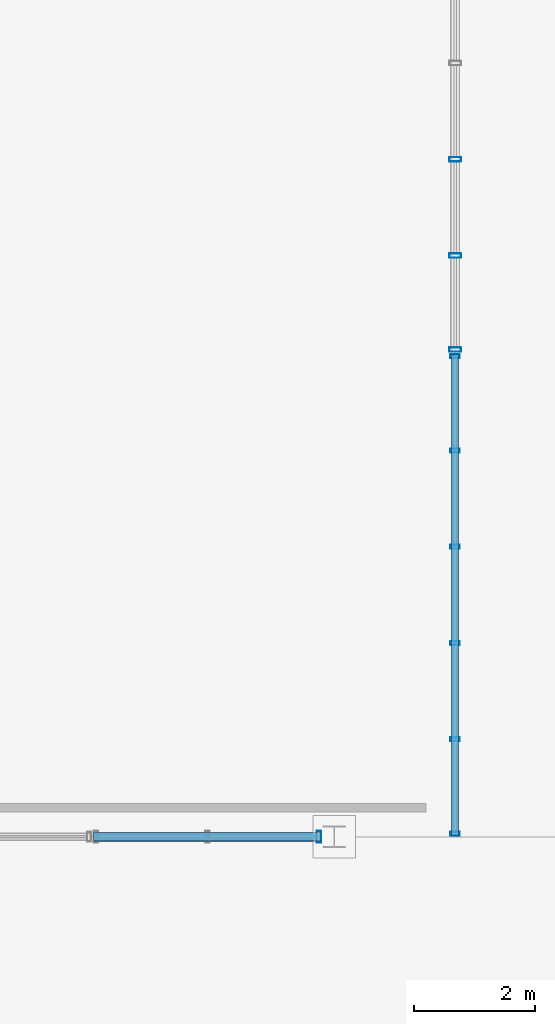
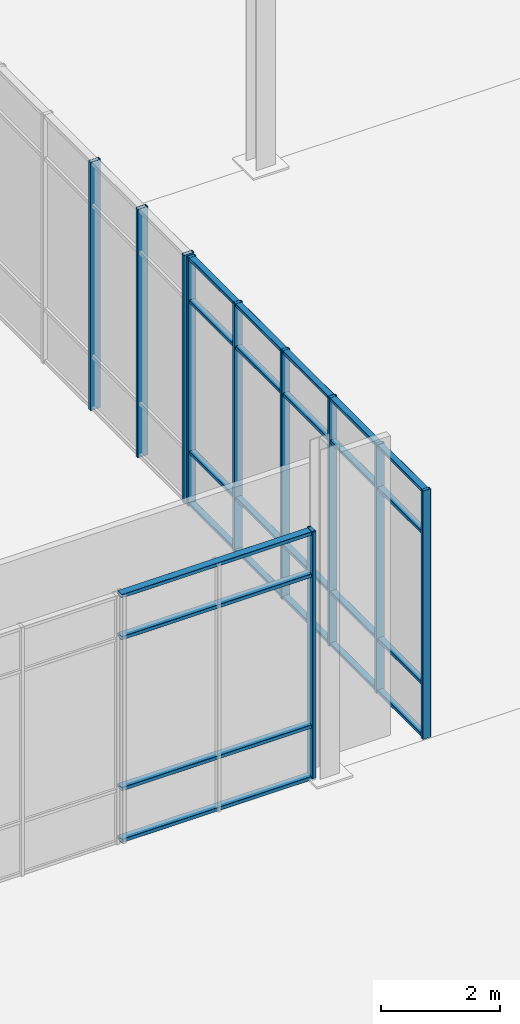
# One storey, part 96 of 140: 18 members, 3 elements without a shape of their own.
"""IFC4 building model written with IfcOpenShell, lengths in metres."""

from ifc_helpers import new_model, si_unit, direction, frame, origin, origin_2d, place, context, subcontext, project, spatial, hollow_rectangle, extrude, material, material_profile, profile_set, type_object, element, aggregate, save


model = new_model("IFC4")

# Units and contexts
model_context = context("Model", 3, precision=1e-05, world=origin(), true_north=direction((0.0, 1.0)))
body_context = subcontext(model_context, "Body", "Model", "MODEL_VIEW")
ifc_project = project(units=[si_unit("LENGTHUNIT", "METRE"), si_unit("AREAUNIT", "SQUARE_METRE"), si_unit("VOLUMEUNIT", "CUBIC_METRE"), si_unit("PLANEANGLEUNIT", "RADIAN"), si_unit("MASSUNIT", "GRAM", prefix="KILO")], contexts=[model_context])

# Site, building, storey
site_placement = place(None, origin())
site = spatial("IfcSite", under=ifc_project, at=site_placement, CompositionType="ELEMENT")
building_placement = place(site_placement, origin())
building = spatial("IfcBuilding", under=site, at=building_placement, Name="Verrall Gate Interchange", CompositionType="ELEMENT")
storey_placement = place(building_placement, origin())
storey = spatial("IfcBuildingStorey", under=building, at=storey_placement, Name="L01", CompositionType="ELEMENT", Elevation=0.0)

# Curtain wall, members
ifc_material_1 = material(Name="Thermally Broken Anodized Aluminium Curtain Wall Framing", Category="aluminium")
curtain_wall_type_1 = type_object("IfcCurtainWallType", Name="CW-09 Unitized Curtain Wall 7960x5100", PredefinedType="NOTDEFINED", material=ifc_material_1)
curtain_wall_1_placement = place(storey_placement, origin())
curtain_wall_1 = element("IfcCurtainWall", 1, at=curtain_wall_1_placement, inside=storey, type_object=curtain_wall_type_1, Name="L01 Unitized Curtain Wall CW-L01-030", PredefinedType="NOTDEFINED")
ifc_material_2 = material(Name="Thermally Broken Anodized Aluminium Curtain Wall Framing", Category="aluminium")
ifc_material_profile_1 = material_profile(ifc_material_2, hollow_rectangle(XDim=0.06494140625, YDim=0.159912109375, WallThickness=0.00390625, InnerFilletRadius=0.00390625, OuterFilletRadius=0.008056640625, at=origin_2d()), Name="CWM160x65x4")
ifc_profile_set_1 = profile_set([ifc_material_profile_1], Name="Thermally Broken Anodized Aluminium Curtain Wall Framing")
member_type_1 = type_object("IfcMemberType", Name="CM-01 Curtain Mullion CWM160x65x4", PredefinedType="MULLION", material=ifc_profile_set_1)
member_1_placement = place(storey_placement, frame((150.0, 74.052490234375, 0.0), z_axis=(0.0, 0.0, 1.0), x_axis=(0.0, 1.0, 0.0)))
member_1 = element("IfcMember", 2, at=member_1_placement, type_object=member_type_1, Name="CW-L01-030 Mullion 1", PredefinedType="MULLION", context=body_context, shape_type="SweptSolid", body=[
    extrude(hollow_rectangle(XDim=0.06494140625, YDim=0.159912109375, WallThickness=0.00390625, InnerFilletRadius=0.00390625, OuterFilletRadius=0.008056640625, at=origin_2d()), origin(), (0.0, 0.0, 1.0), 5.10009765625),
])
member_2_placement = place(storey_placement, frame((150.0, 75.612060546875, 0.0), z_axis=(0.0, 0.0, 1.0), x_axis=(0.0, 1.0, 0.0)))
member_2 = element("IfcMember", 3, at=member_2_placement, type_object=member_type_1, Name="CW-L01-030 Mullion 2", PredefinedType="MULLION", context=body_context, shape_type="SweptSolid", body=[
    extrude(hollow_rectangle(XDim=0.06494140625, YDim=0.159912109375, WallThickness=0.00390625, InnerFilletRadius=0.00390625, OuterFilletRadius=0.008056640625, at=origin_2d()), origin(), (0.0, 0.0, 1.0), 5.10009765625),
])
member_3_placement = place(storey_placement, frame((150.0, 77.2041015625, 0.0), z_axis=(0.0, 0.0, 1.0), x_axis=(0.0, 1.0, 0.0)))
member_3 = element("IfcMember", 4, at=member_3_placement, type_object=member_type_1, Name="CW-L01-030 Mullion 3", PredefinedType="MULLION", context=body_context, shape_type="SweptSolid", body=[
    extrude(hollow_rectangle(XDim=0.06494140625, YDim=0.159912109375, WallThickness=0.00390625, InnerFilletRadius=0.00390625, OuterFilletRadius=0.008056640625, at=origin_2d()), origin(), (0.0, 0.0, 1.0), 5.10009765625),
])
member_4_placement = place(storey_placement, frame((150.0, 78.7958984375, 0.0), z_axis=(0.0, 0.0, 1.0), x_axis=(0.0, 1.0, 0.0)))
member_4 = element("IfcMember", 5, at=member_4_placement, type_object=member_type_1, Name="CW-L01-030 Mullion 4", PredefinedType="MULLION", context=body_context, shape_type="SweptSolid", body=[
    extrude(hollow_rectangle(XDim=0.06494140625, YDim=0.159912109375, WallThickness=0.00390625, InnerFilletRadius=0.00390625, OuterFilletRadius=0.008056640625, at=origin_2d()), origin(), (0.0, 0.0, 1.0), 5.10009765625),
])
member_5_placement = place(storey_placement, frame((150.0, 80.387939453125, 0.0), z_axis=(0.0, 0.0, 1.0), x_axis=(0.0, 1.0, 0.0)))
member_5 = element("IfcMember", 6, at=member_5_placement, type_object=member_type_1, Name="CW-L01-030 Mullion 5", PredefinedType="MULLION", context=body_context, shape_type="SweptSolid", body=[
    extrude(hollow_rectangle(XDim=0.06494140625, YDim=0.159912109375, WallThickness=0.00390625, InnerFilletRadius=0.00390625, OuterFilletRadius=0.008056640625, at=origin_2d()), origin(), (0.0, 0.0, 1.0), 5.10009765625),
])
member_6_placement = place(storey_placement, frame((150.0, 81.947509765625, 0.0), z_axis=(0.0, 0.0, 1.0), x_axis=(0.0, 1.0, 0.0)))
member_6 = element("IfcMember", 7, at=member_6_placement, type_object=member_type_1, Name="CW-L01-030 Mullion 6", PredefinedType="MULLION", context=body_context, shape_type="SweptSolid", body=[
    extrude(hollow_rectangle(XDim=0.06494140625, YDim=0.159912109375, WallThickness=0.00390625, InnerFilletRadius=0.00390625, OuterFilletRadius=0.008056640625, at=origin_2d()), origin(), (0.0, 0.0, 1.0), 5.10009765625),
])

# Curtain wall, member
ifc_material_3 = material(Name="Thermally Broken Anodized Aluminium Curtain Wall Framing", Category="aluminium")
curtain_wall_type_2 = type_object("IfcCurtainWallType", Name="CW-08 Unitized Curtain Wall 3764x5100", PredefinedType="NOTDEFINED", material=ifc_material_3)
curtain_wall_2_placement = place(storey_placement, origin())
curtain_wall_2 = element("IfcCurtainWall", 8, at=curtain_wall_2_placement, inside=storey, type_object=curtain_wall_type_2, Name="L01 Unitized Curtain Wall CW-L01-029", PredefinedType="NOTDEFINED")
ifc_material_4 = material(Name="Thermally Broken Anodized Aluminium Curtain Wall Framing", Category="aluminium")
ifc_material_profile_2 = material_profile(ifc_material_4, hollow_rectangle(XDim=0.074951171875, YDim=0.199951171875, WallThickness=0.0048828125, InnerFilletRadius=0.0048828125, OuterFilletRadius=0.010009765625, at=origin_2d()), Name="CWM200x75x5")
ifc_profile_set_2 = profile_set([ifc_material_profile_2], Name="Thermally Broken Anodized Aluminium Curtain Wall Framing")
member_type_2 = type_object("IfcMemberType", Name="CM-02 Curtain Mullion CWM200x75x5", PredefinedType="MULLION", material=ifc_profile_set_2)
member_7_placement = place(storey_placement, frame((147.74609375, 74.0, 0.0), z_axis=(0.0, 0.0, 1.0), x_axis=(1.0, 0.0, 0.0)))
member_7 = element("IfcMember", 9, at=member_7_placement, type_object=member_type_2, Name="CW-L01-029 Mullion 3", PredefinedType="MULLION", context=body_context, shape_type="SweptSolid", body=[
    extrude(hollow_rectangle(XDim=0.074951171875, YDim=0.199951171875, WallThickness=0.0048828125, InnerFilletRadius=0.0048828125, OuterFilletRadius=0.010009765625, at=origin_2d()), origin(), (0.0, 0.0, 1.0), 5.10009765625),
])

# Curtain wall, members
curtain_wall_3_placement = place(storey_placement, origin())
curtain_wall_3 = element("IfcCurtainWall", 10, at=curtain_wall_3_placement, inside=storey, type_object=curtain_wall_type_1, Name="L01 Unitized Curtain Wall CW-L01-031", PredefinedType="NOTDEFINED")
member_8_placement = place(storey_placement, frame((150.0, 82.0576171875, 0.0), z_axis=(0.0, 0.0, 1.0), x_axis=(0.0, 1.0, 0.0)))
member_8 = element("IfcMember", 11, at=member_8_placement, type_object=member_type_2, Name="CW-L01-031 Mullion 1", PredefinedType="MULLION", context=body_context, shape_type="SweptSolid", body=[
    extrude(hollow_rectangle(XDim=0.074951171875, YDim=0.199951171875, WallThickness=0.0048828125, InnerFilletRadius=0.0048828125, OuterFilletRadius=0.010009765625, at=origin_2d()), origin(), (0.0, 0.0, 1.0), 5.10009765625),
])
member_9_placement = place(storey_placement, frame((150.0, 83.612060546875, 0.0), z_axis=(0.0, 0.0, 1.0), x_axis=(0.0, 1.0, 0.0)))
member_9 = element("IfcMember", 12, at=member_9_placement, type_object=member_type_2, Name="CW-L01-031 Mullion 2", PredefinedType="MULLION", context=body_context, shape_type="SweptSolid", body=[
    extrude(hollow_rectangle(XDim=0.074951171875, YDim=0.199951171875, WallThickness=0.0048828125, InnerFilletRadius=0.0048828125, OuterFilletRadius=0.010009765625, at=origin_2d()), origin(), (0.0, 0.0, 1.0), 5.10009765625),
])
member_10_placement = place(storey_placement, frame((150.0, 85.2041015625, 0.0), z_axis=(0.0, 0.0, 1.0), x_axis=(0.0, 1.0, 0.0)))
member_10 = element("IfcMember", 13, at=member_10_placement, type_object=member_type_2, Name="CW-L01-031 Mullion 3", PredefinedType="MULLION", context=body_context, shape_type="SweptSolid", body=[
    extrude(hollow_rectangle(XDim=0.074951171875, YDim=0.199951171875, WallThickness=0.0048828125, InnerFilletRadius=0.0048828125, OuterFilletRadius=0.010009765625, at=origin_2d()), origin(), (0.0, 0.0, 1.0), 5.10009765625),
])
aggregate(curtain_wall_3, [member_8, member_9, member_10])

# Member
ifc_material_5 = material(Name="Thermally Broken Anodized Aluminium Curtain Wall Framing", Category="aluminium")
ifc_material_profile_3 = material_profile(ifc_material_5, hollow_rectangle(XDim=0.1201171875, YDim=0.06494140625, WallThickness=0.00390625, InnerFilletRadius=0.00390625, OuterFilletRadius=0.008056640625, at=origin_2d()), Name="CWT120x65x4")
ifc_profile_set_3 = profile_set([ifc_material_profile_3], Name="Thermally Broken Anodized Aluminium Curtain Wall Framing")
member_type_3 = type_object("IfcMemberType", Name="CT-01 Curtain Transom CWT120x65x4", PredefinedType="USERDEFINED", material=ifc_profile_set_3)
member_11_placement = place(storey_placement, frame((150.0, 74.02001953125, 0.032470703125), z_axis=(0.0, 1.0, 0.0), x_axis=(-1.0, 0.0, 0.0)))
member_11 = element("IfcMember", 14, at=member_11_placement, type_object=member_type_3, Name="CW-L01-030 Transom 1", ObjectType="TRANSOM", PredefinedType="USERDEFINED", context=body_context, shape_type="SweptSolid", body=[
    extrude(hollow_rectangle(XDim=0.1201171875, YDim=0.06494140625, WallThickness=0.00390625, InnerFilletRadius=0.00390625, OuterFilletRadius=0.008056640625, at=origin_2d()), origin(), (0.0, 0.0, 1.0), 7.9599609375),
])

member_12_placement = place(storey_placement, frame((150.0, 74.02001953125, 1.10009765625), z_axis=(0.0, 1.0, 0.0), x_axis=(-1.0, 0.0, 0.0)))
member_12 = element("IfcMember", 15, at=member_12_placement, type_object=member_type_3, Name="CW-L01-030 Transom 2", ObjectType="TRANSOM", PredefinedType="USERDEFINED", context=body_context, shape_type="SweptSolid", body=[
    extrude(hollow_rectangle(XDim=0.1201171875, YDim=0.06494140625, WallThickness=0.00390625, InnerFilletRadius=0.00390625, OuterFilletRadius=0.008056640625, at=origin_2d()), origin(), (0.0, 0.0, 1.0), 7.9599609375),
])

member_13_placement = place(storey_placement, frame((150.0, 74.02001953125, 4.199951171875), z_axis=(0.0, 1.0, 0.0), x_axis=(-1.0, 0.0, 0.0)))
member_13 = element("IfcMember", 16, at=member_13_placement, type_object=member_type_3, Name="CW-L01-030 Transom 3", ObjectType="TRANSOM", PredefinedType="USERDEFINED", context=body_context, shape_type="SweptSolid", body=[
    extrude(hollow_rectangle(XDim=0.1201171875, YDim=0.06494140625, WallThickness=0.00390625, InnerFilletRadius=0.00390625, OuterFilletRadius=0.008056640625, at=origin_2d()), origin(), (0.0, 0.0, 1.0), 7.9599609375),
])

member_14_placement = place(storey_placement, frame((150.0, 74.02001953125, 5.0673828125), z_axis=(0.0, 1.0, 0.0), x_axis=(-1.0, 0.0, 0.0)))
member_14 = element("IfcMember", 17, at=member_14_placement, type_object=member_type_3, Name="CW-L01-030 Transom 4", ObjectType="TRANSOM", PredefinedType="USERDEFINED", context=body_context, shape_type="SweptSolid", body=[
    extrude(hollow_rectangle(XDim=0.1201171875, YDim=0.06494140625, WallThickness=0.00390625, InnerFilletRadius=0.00390625, OuterFilletRadius=0.008056640625, at=origin_2d()), origin(), (0.0, 0.0, 1.0), 7.9599609375),
])

aggregate(curtain_wall_1, [member_1, member_2, member_3, member_4, member_5, member_6, member_11, member_12, member_13, member_14])

ifc_material_6 = material(Name="Thermally Broken Anodized Aluminium Curtain Wall Framing", Category="aluminium")
ifc_material_profile_4 = material_profile(ifc_material_6, hollow_rectangle(XDim=0.14990234375, YDim=0.074951171875, WallThickness=0.00439453125, InnerFilletRadius=0.00439453125, OuterFilletRadius=0.009033203125, at=origin_2d()), Name="CWT150x75x4.5")
ifc_profile_set_4 = profile_set([ifc_material_profile_4], Name="Thermally Broken Anodized Aluminium Curtain Wall Framing")
member_type_4 = type_object("IfcMemberType", Name="CT-02 Curtain Transom CWT150x75x4.5", PredefinedType="USERDEFINED", material=ifc_profile_set_4)
member_15_placement = place(storey_placement, frame((144.02001953125, 74.0, 0.03759765625), z_axis=(1.0, 0.0, 0.0), x_axis=(0.0, 1.0, 0.0)))
member_15 = element("IfcMember", 18, at=member_15_placement, type_object=member_type_4, Name="CW-L01-029 Transom 1", ObjectType="TRANSOM", PredefinedType="USERDEFINED", context=body_context, shape_type="SweptSolid", body=[
    extrude(hollow_rectangle(XDim=0.14990234375, YDim=0.074951171875, WallThickness=0.00439453125, InnerFilletRadius=0.00439453125, OuterFilletRadius=0.009033203125, at=origin_2d()), origin(), (0.0, 0.0, 1.0), 3.763427734375),
])

member_16_placement = place(storey_placement, frame((144.02001953125, 74.0, 1.10009765625), z_axis=(1.0, 0.0, 0.0), x_axis=(0.0, 1.0, 0.0)))
member_16 = element("IfcMember", 19, at=member_16_placement, type_object=member_type_4, Name="CW-L01-029 Transom 2", ObjectType="TRANSOM", PredefinedType="USERDEFINED", context=body_context, shape_type="SweptSolid", body=[
    extrude(hollow_rectangle(XDim=0.14990234375, YDim=0.074951171875, WallThickness=0.00439453125, InnerFilletRadius=0.00439453125, OuterFilletRadius=0.009033203125, at=origin_2d()), origin(), (0.0, 0.0, 1.0), 3.763427734375),
])

member_17_placement = place(storey_placement, frame((144.02001953125, 74.0, 4.199951171875), z_axis=(1.0, 0.0, 0.0), x_axis=(0.0, 1.0, 0.0)))
member_17 = element("IfcMember", 20, at=member_17_placement, type_object=member_type_4, Name="CW-L01-029 Transom 3", ObjectType="TRANSOM", PredefinedType="USERDEFINED", context=body_context, shape_type="SweptSolid", body=[
    extrude(hollow_rectangle(XDim=0.14990234375, YDim=0.074951171875, WallThickness=0.00439453125, InnerFilletRadius=0.00439453125, OuterFilletRadius=0.009033203125, at=origin_2d()), origin(), (0.0, 0.0, 1.0), 3.763427734375),
])

member_18_placement = place(storey_placement, frame((144.02001953125, 74.0, 5.0625), z_axis=(1.0, 0.0, 0.0), x_axis=(0.0, 1.0, 0.0)))
member_18 = element("IfcMember", 21, at=member_18_placement, type_object=member_type_4, Name="CW-L01-029 Transom 4", ObjectType="TRANSOM", PredefinedType="USERDEFINED", context=body_context, shape_type="SweptSolid", body=[
    extrude(hollow_rectangle(XDim=0.14990234375, YDim=0.074951171875, WallThickness=0.00439453125, InnerFilletRadius=0.00439453125, OuterFilletRadius=0.009033203125, at=origin_2d()), origin(), (0.0, 0.0, 1.0), 3.763427734375),
])

aggregate(curtain_wall_2, [member_7, member_15, member_16, member_17, member_18])

save(model, "model.ifc")
